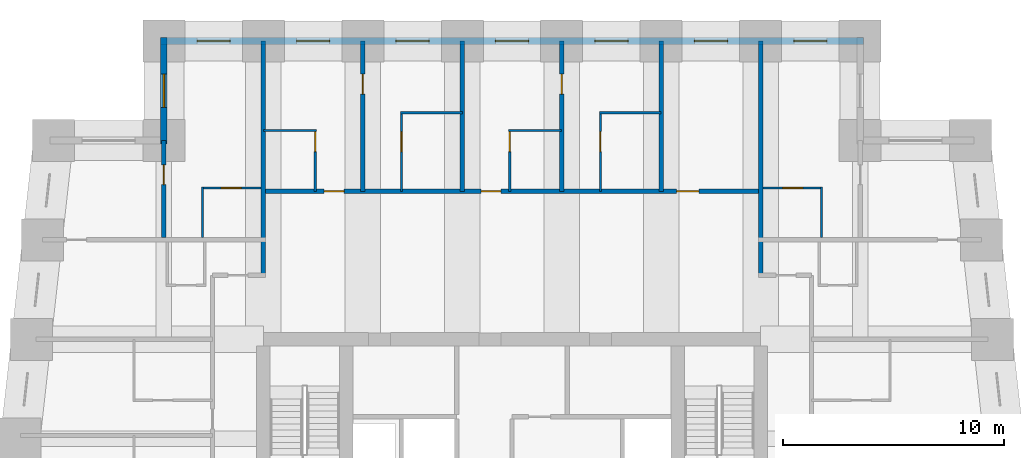
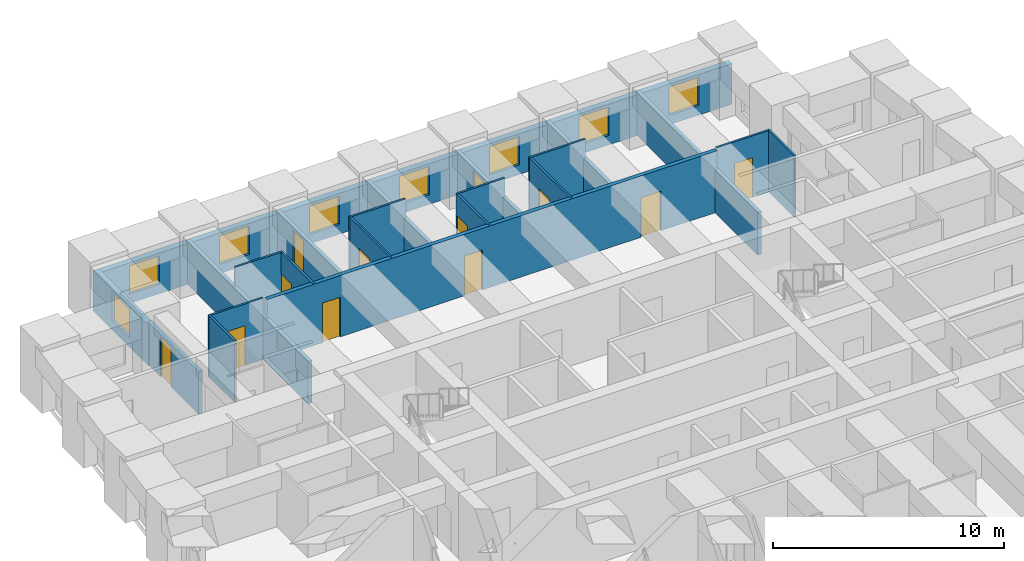
# One storey, part 6 of 8: 22 walls, 12 doors, 8 windows, 20 openings.
"""IFC4 building model written with IfcOpenShell, lengths in metres."""

from ifc_helpers import new_model, si_unit, direction, frame, frame_2d, origin, place, context, subcontext, project, spatial, rectangle, extrude, material, layer, layer_set, type_object, element, fill, save


model = new_model("IFC4")

# Units and contexts
model_context = context("Model", 3, precision=1e-05, world=origin(), true_north=direction((0.0, 1.0)))
body_context = subcontext(model_context, "Body", "Model", "MODEL_VIEW")
ifc_project = project(units=[si_unit("LENGTHUNIT", "METRE"), si_unit("AREAUNIT", "SQUARE_METRE"), si_unit("VOLUMEUNIT", "CUBIC_METRE"), si_unit("PLANEANGLEUNIT", "RADIAN"), si_unit("MASSUNIT", "GRAM", prefix="KILO")], contexts=[model_context])

# Site, building, storey
site_placement = place(None, origin())
site = spatial("IfcSite", under=ifc_project, at=site_placement, CompositionType="ELEMENT")
building_placement = place(site_placement, origin())
building = spatial("IfcBuilding", under=site, at=building_placement, Name="Kilele Tower Hotel", CompositionType="ELEMENT")
storey_placement = place(building_placement, frame((0.0, 0.0, 131.89990234375)))
storey = spatial("IfcBuildingStorey", under=building, at=storey_placement, Name="L34", CompositionType="ELEMENT", Elevation=131.89990234375)

# Wall
ifc_material_1 = material(Name="Moisture-resistant board")
ifc_layer_1 = layer(ifc_material_1, 0.10009765625)
ifc_layer_set_1 = layer_set([ifc_layer_1], Name="Moisture-resistant board")
wall_type_1 = type_object("IfcWallType", Name="Bathroom partition 100", PredefinedType="PLUMBINGWALL", material=ifc_layer_set_1)
wall_1_placement = place(storey_placement, frame((13.5, 36.449951171875, 0.0), z_axis=(0.0, 0.0, 1.0), x_axis=(1.0, 0.0, 0.0)))
element("IfcWall", 1, at=wall_1_placement, inside=storey, type_object=wall_type_1, Name="Bathroom partition 100 L34", PredefinedType="PLUMBINGWALL", context=body_context, shape_type="SweptSolid", body=[
    extrude(rectangle(XDim=2.39990234375, YDim=0.10009765625, at=frame_2d((1.199951171875, 0.0))), origin(), (0.0, 0.0, 1.0), 3.25),
])

# Wall, opening, door
wall_2_placement = place(storey_placement, frame((15.85009765625, 33.699951171875, 0.0), z_axis=(0.0, 0.0, 1.0), x_axis=(0.0, 1.0, 0.0)))
wall_2 = element("IfcWall", 2, at=wall_2_placement, inside=storey, type_object=wall_type_1, Name="Bathroom partition 100 L34", PredefinedType="PLUMBINGWALL", context=body_context, shape_type="SweptSolid", body=[
    extrude(rectangle(XDim=2.800048828125, YDim=0.10009765625, at=frame_2d((1.39990234375, 0.0))), origin(), (0.0, 0.0, 1.0), 3.25),
])
opening_1_placement = place(wall_2_placement, frame((2.699951171875, 0.0, 0.0), z_axis=(0.0, 0.0, 1.0), x_axis=(-1.0, 0.0, 0.0)))
opening_1 = element("IfcOpeningElement", 3, at=opening_1_placement, cuts=wall_2, Name="Opening D2A", PredefinedType="OPENING", context=body_context, shape_type="SweptSolid", body=[
    extrude(rectangle(XDim=0.89990234375, YDim=2.10009765625, at=frame_2d((0.449951171875, 1.050048828125))), frame((0.0, 0.06005859375, 0.0), z_axis=(0.0, -1.0, 0.0), x_axis=(1.0, 0.0, 0.0)), (0.0, 0.0, 1.0), 0.1201171875),
])
ifc_material_2 = material(Name="Timber door leaf in hardwood frame", Category="wood")
door_type_1 = type_object("IfcDoorType", Name="Bathroom door 900", OperationType="SINGLE_SWING_LEFT", PredefinedType="DOOR", material=ifc_material_2)
door_1_placement = place(opening_1_placement, origin())
door_1 = element("IfcDoor", 4, at=door_1_placement, inside=storey, type_object=door_type_1, Name="Bathroom door 3409B", OperationType="SINGLE_SWING_LEFT", OverallHeight=2.10009765625, OverallWidth=0.89990234375, PredefinedType="DOOR", context=body_context, shape_type="SweptSolid", body=[
    extrude(rectangle(XDim=0.89990234375, YDim=2.10009765625, at=frame_2d((0.449951171875, 1.050048828125))), frame((0.0, 0.02490234375, 0.0), z_axis=(0.0, -1.0, 0.0), x_axis=(1.0, 0.0, 0.0)), (0.0, 0.0, 1.0), 0.050048828125),
])
fill(opening_1, door_1)

# Wall
wall_3_placement = place(storey_placement, frame((19.699951171875, 37.25, 0.0), z_axis=(0.0, 0.0, 1.0), x_axis=(1.0, 0.0, 0.0)))
element("IfcWall", 5, at=wall_3_placement, inside=storey, type_object=wall_type_1, Name="Bathroom partition 100 L34", PredefinedType="PLUMBINGWALL", context=body_context, shape_type="SweptSolid", body=[
    extrude(rectangle(XDim=2.800048828125, YDim=0.10009765625, at=frame_2d((1.39990234375, 0.0))), origin(), (0.0, 0.0, 1.0), 3.25),
])

# Wall, opening, door
wall_4_placement = place(storey_placement, frame((19.75, 33.699951171875, 0.0), z_axis=(0.0, 0.0, 1.0), x_axis=(0.0, 1.0, 0.0)))
wall_4 = element("IfcWall", 6, at=wall_4_placement, inside=storey, type_object=wall_type_1, Name="Bathroom partition 100 L34", PredefinedType="PLUMBINGWALL", context=body_context, shape_type="SweptSolid", body=[
    extrude(rectangle(XDim=3.60009765625, YDim=0.10009765625, at=frame_2d((1.800048828125, 0.0))), origin(), (0.0, 0.0, 1.0), 3.25),
])
opening_2_placement = place(wall_4_placement, frame((1.800048828125, 0.0, 0.0)))
opening_2 = element("IfcOpeningElement", 7, at=opening_2_placement, cuts=wall_4, Name="Opening D2A", PredefinedType="OPENING", context=body_context, shape_type="SweptSolid", body=[
    extrude(rectangle(XDim=0.89990234375, YDim=2.10009765625, at=frame_2d((0.449951171875, 1.050048828125))), frame((0.0, 0.06005859375, 0.0), z_axis=(0.0, -1.0, 0.0), x_axis=(1.0, 0.0, 0.0)), (0.0, 0.0, 1.0), 0.1201171875),
])
door_2_placement = place(opening_2_placement, origin())
door_2 = element("IfcDoor", 8, at=door_2_placement, inside=storey, type_object=door_type_1, Name="Bathroom door 3410B", OperationType="SINGLE_SWING_RIGHT", OverallHeight=2.10009765625, OverallWidth=0.89990234375, PredefinedType="DOOR", context=body_context, shape_type="SweptSolid", body=[
    extrude(rectangle(XDim=0.89990234375, YDim=2.10009765625, at=frame_2d((0.449951171875, 1.050048828125))), frame((0.0, 0.02490234375, 0.0), z_axis=(0.0, -1.0, 0.0), x_axis=(1.0, 0.0, 0.0)), (0.0, 0.0, 1.0), 0.050048828125),
])
fill(opening_2, door_2)

# Wall
wall_5_placement = place(storey_placement, frame((24.60009765625, 36.449951171875, 0.0), z_axis=(0.0, 0.0, 1.0), x_axis=(1.0, 0.0, 0.0)))
element("IfcWall", 9, at=wall_5_placement, inside=storey, type_object=wall_type_1, Name="Bathroom partition 100 L34", PredefinedType="PLUMBINGWALL", context=body_context, shape_type="SweptSolid", body=[
    extrude(rectangle(XDim=2.39990234375, YDim=0.10009765625, at=frame_2d((1.199951171875, 0.0))), origin(), (0.0, 0.0, 1.0), 3.25),
])

# Wall, opening, door
wall_6_placement = place(storey_placement, frame((24.64990234375, 33.699951171875, 0.0), z_axis=(0.0, 0.0, 1.0), x_axis=(0.0, 1.0, 0.0)))
wall_6 = element("IfcWall", 10, at=wall_6_placement, inside=storey, type_object=wall_type_1, Name="Bathroom partition 100 L34", PredefinedType="PLUMBINGWALL", context=body_context, shape_type="SweptSolid", body=[
    extrude(rectangle(XDim=2.800048828125, YDim=0.10009765625, at=frame_2d((1.39990234375, 0.0))), origin(), (0.0, 0.0, 1.0), 3.25),
])
opening_3_placement = place(wall_6_placement, frame((1.800048828125, 0.0, 0.0)))
opening_3 = element("IfcOpeningElement", 11, at=opening_3_placement, cuts=wall_6, Name="Opening D2A", PredefinedType="OPENING", context=body_context, shape_type="SweptSolid", body=[
    extrude(rectangle(XDim=0.89990234375, YDim=2.10009765625, at=frame_2d((0.449951171875, 1.050048828125))), frame((0.0, 0.06005859375, 0.0), z_axis=(0.0, -1.0, 0.0), x_axis=(1.0, 0.0, 0.0)), (0.0, 0.0, 1.0), 0.1201171875),
])
door_3_placement = place(opening_3_placement, origin())
door_3 = element("IfcDoor", 12, at=door_3_placement, inside=storey, type_object=door_type_1, Name="Bathroom door 3411B", OperationType="SINGLE_SWING_RIGHT", OverallHeight=2.10009765625, OverallWidth=0.89990234375, PredefinedType="DOOR", context=body_context, shape_type="SweptSolid", body=[
    extrude(rectangle(XDim=0.89990234375, YDim=2.10009765625, at=frame_2d((0.449951171875, 1.050048828125))), frame((0.0, 0.02490234375, 0.0), z_axis=(0.0, -1.0, 0.0), x_axis=(1.0, 0.0, 0.0)), (0.0, 0.0, 1.0), 0.050048828125),
])
fill(opening_3, door_3)

# Wall
wall_7_placement = place(storey_placement, frame((28.699951171875, 37.25, 0.0), z_axis=(0.0, 0.0, 1.0), x_axis=(1.0, 0.0, 0.0)))
element("IfcWall", 13, at=wall_7_placement, inside=storey, type_object=wall_type_1, Name="Bathroom partition 100 L34", PredefinedType="PLUMBINGWALL", context=body_context, shape_type="SweptSolid", body=[
    extrude(rectangle(XDim=2.800048828125, YDim=0.10009765625, at=frame_2d((1.39990234375, 0.0))), origin(), (0.0, 0.0, 1.0), 3.25),
])

# Wall, opening, door
wall_8_placement = place(storey_placement, frame((28.75, 33.699951171875, 0.0), z_axis=(0.0, 0.0, 1.0), x_axis=(0.0, 1.0, 0.0)))
wall_8 = element("IfcWall", 14, at=wall_8_placement, inside=storey, type_object=wall_type_1, Name="Bathroom partition 100 L34", PredefinedType="PLUMBINGWALL", context=body_context, shape_type="SweptSolid", body=[
    extrude(rectangle(XDim=3.60009765625, YDim=0.10009765625, at=frame_2d((1.800048828125, 0.0))), origin(), (0.0, 0.0, 1.0), 3.25),
])
opening_4_placement = place(wall_8_placement, frame((1.800048828125, 0.0, 0.0)))
opening_4 = element("IfcOpeningElement", 15, at=opening_4_placement, cuts=wall_8, Name="Opening D2A", PredefinedType="OPENING", context=body_context, shape_type="SweptSolid", body=[
    extrude(rectangle(XDim=0.89990234375, YDim=2.10009765625, at=frame_2d((0.449951171875, 1.050048828125))), frame((0.0, 0.06005859375, 0.0), z_axis=(0.0, -1.0, 0.0), x_axis=(1.0, 0.0, 0.0)), (0.0, 0.0, 1.0), 0.1201171875),
])
door_4_placement = place(opening_4_placement, origin())
door_4 = element("IfcDoor", 16, at=door_4_placement, inside=storey, type_object=door_type_1, Name="Bathroom door 3412B", OperationType="SINGLE_SWING_RIGHT", OverallHeight=2.10009765625, OverallWidth=0.89990234375, PredefinedType="DOOR", context=body_context, shape_type="SweptSolid", body=[
    extrude(rectangle(XDim=0.89990234375, YDim=2.10009765625, at=frame_2d((0.449951171875, 1.050048828125))), frame((0.0, 0.02490234375, 0.0), z_axis=(0.0, -1.0, 0.0), x_axis=(1.0, 0.0, 0.0)), (0.0, 0.0, 1.0), 0.050048828125),
])
fill(opening_4, door_4)

# Wall
wall_9_placement = place(storey_placement, frame((38.75, 31.60009765625, 0.0), z_axis=(0.0, 0.0, 1.0), x_axis=(0.0, 1.0, 0.0)))
element("IfcWall", 17, at=wall_9_placement, inside=storey, type_object=wall_type_1, Name="Bathroom partition 100 L34", PredefinedType="PLUMBINGWALL", context=body_context, shape_type="SweptSolid", body=[
    extrude(rectangle(XDim=2.2998046875, YDim=0.10009765625, at=frame_2d((1.14990234375, 0.0))), origin(), (0.0, 0.0, 1.0), 3.25),
])

# Wall, opening, door
wall_10_placement = place(storey_placement, frame((36.10009765625, 33.85009765625, 0.0), z_axis=(0.0, 0.0, 1.0), x_axis=(1.0, 0.0, 0.0)))
wall_10 = element("IfcWall", 18, at=wall_10_placement, inside=storey, type_object=wall_type_1, Name="Bathroom partition 100 L34", PredefinedType="PLUMBINGWALL", context=body_context, shape_type="SweptSolid", body=[
    extrude(rectangle(XDim=2.699951171875, YDim=0.10009765625, at=frame_2d((1.35009765625, 0.0))), origin(), (0.0, 0.0, 1.0), 3.25),
])
opening_5_placement = place(wall_10_placement, frame((0.89990234375, 0.0, 0.0)))
opening_5 = element("IfcOpeningElement", 19, at=opening_5_placement, cuts=wall_10, Name="Opening D2A", PredefinedType="OPENING", context=body_context, shape_type="SweptSolid", body=[
    extrude(rectangle(XDim=0.89990234375, YDim=2.10009765625, at=frame_2d((0.449951171875, 1.050048828125))), frame((0.0, 0.06005859375, 0.0), z_axis=(0.0, -1.0, 0.0), x_axis=(1.0, 0.0, 0.0)), (0.0, 0.0, 1.0), 0.1201171875),
])
door_5_placement = place(opening_5_placement, origin())
door_5 = element("IfcDoor", 20, at=door_5_placement, inside=storey, type_object=door_type_1, Name="Bathroom door 3424B", OperationType="SINGLE_SWING_LEFT", OverallHeight=2.10009765625, OverallWidth=0.89990234375, PredefinedType="DOOR", context=body_context, shape_type="SweptSolid", body=[
    extrude(rectangle(XDim=0.89990234375, YDim=2.10009765625, at=frame_2d((0.449951171875, 1.050048828125))), frame((0.0, 0.02490234375, 0.0), z_axis=(0.0, -1.0, 0.0), x_axis=(1.0, 0.0, 0.0)), (0.0, 0.0, 1.0), 0.050048828125),
])
fill(opening_5, door_5)

# Wall
wall_11_placement = place(storey_placement, frame((10.75, 31.60009765625, 0.0), z_axis=(0.0, 0.0, 1.0), x_axis=(0.0, 1.0, 0.0)))
element("IfcWall", 21, at=wall_11_placement, inside=storey, type_object=wall_type_1, Name="Bathroom partition 100 L34", PredefinedType="PLUMBINGWALL", context=body_context, shape_type="SweptSolid", body=[
    extrude(rectangle(XDim=2.2998046875, YDim=0.10009765625, at=frame_2d((1.14990234375, 0.0))), origin(), (0.0, 0.0, 1.0), 3.25),
])

# Wall, opening, door
wall_12_placement = place(storey_placement, frame((13.39990234375, 33.85009765625, 0.0), z_axis=(0.0, 0.0, 1.0), x_axis=(-1.0, 0.0, 0.0)))
wall_12 = element("IfcWall", 22, at=wall_12_placement, inside=storey, type_object=wall_type_1, Name="Bathroom partition 100 L34", PredefinedType="PLUMBINGWALL", context=body_context, shape_type="SweptSolid", body=[
    extrude(rectangle(XDim=2.699951171875, YDim=0.10009765625, at=frame_2d((1.35009765625, 0.0))), origin(), (0.0, 0.0, 1.0), 3.25),
])
opening_6_placement = place(wall_12_placement, frame((1.7998046875, 0.0, 0.0), z_axis=(0.0, 0.0, 1.0), x_axis=(-1.0, 0.0, 0.0)))
opening_6 = element("IfcOpeningElement", 23, at=opening_6_placement, cuts=wall_12, Name="Opening D2A", PredefinedType="OPENING", context=body_context, shape_type="SweptSolid", body=[
    extrude(rectangle(XDim=0.89990234375, YDim=2.10009765625, at=frame_2d((0.449951171875, 1.050048828125))), frame((0.0, 0.06005859375, 0.0), z_axis=(0.0, -1.0, 0.0), x_axis=(1.0, 0.0, 0.0)), (0.0, 0.0, 1.0), 0.1201171875),
])
door_6_placement = place(opening_6_placement, origin())
door_6 = element("IfcDoor", 24, at=door_6_placement, inside=storey, type_object=door_type_1, Name="Bathroom door 3427B", OperationType="SINGLE_SWING_RIGHT", OverallHeight=2.10009765625, OverallWidth=0.89990234375, PredefinedType="DOOR", context=body_context, shape_type="SweptSolid", body=[
    extrude(rectangle(XDim=0.89990234375, YDim=2.10009765625, at=frame_2d((0.449951171875, 1.050048828125))), frame((0.0, 0.02490234375, 0.0), z_axis=(0.0, -1.0, 0.0), x_axis=(1.0, 0.0, 0.0)), (0.0, 0.0, 1.0), 0.050048828125),
])
fill(opening_6, door_6)

# Wall, openings, doors
ifc_material_3 = material(Name="Blockwork, plastered both sides", Category="masonry")
ifc_layer_2 = layer(ifc_material_3, 0.199951171875)
ifc_layer_set_2 = layer_set([ifc_layer_2], Name="Blockwork, plastered both sides")
wall_type_2 = type_object("IfcWallType", Name="Corridor wall 200", PredefinedType="PARTITIONING", material=ifc_layer_set_2)
wall_13_placement = place(storey_placement, frame((13.5, 33.699951171875, 0.0), z_axis=(0.0, 0.0, 1.0), x_axis=(1.0, 0.0, 0.0)))
wall_13 = element("IfcWall", 25, at=wall_13_placement, inside=storey, type_object=wall_type_2, Name="Corridor wall 200 L34", PredefinedType="PARTITIONING", context=body_context, shape_type="SweptSolid", body=[
    extrude(rectangle(XDim=22.5, YDim=0.199951171875, at=frame_2d((11.25, 0.0))), origin(), (0.0, 0.0, 1.0), 3.25),
])
opening_7_placement = place(wall_13_placement, frame((2.75, 0.0, 0.0)))
opening_7 = element("IfcOpeningElement", 26, at=opening_7_placement, cuts=wall_13, Name="Opening D1", PredefinedType="OPENING", context=body_context, shape_type="SweptSolid", body=[
    extrude(rectangle(XDim=0.89990234375, YDim=2.10009765625, at=frame_2d((0.449951171875, 1.050048828125))), frame((0.0, 0.10986328125, 0.0), z_axis=(0.0, -1.0, 0.0), x_axis=(1.0, 0.0, 0.0)), (0.0, 0.0, 1.0), 0.219970703125),
])
opening_8_placement = place(wall_13_placement, frame((9.85009765625, 0.0, 0.0)))
opening_8 = element("IfcOpeningElement", 27, at=opening_8_placement, cuts=wall_13, Name="Opening D1", PredefinedType="OPENING", context=body_context, shape_type="SweptSolid", body=[
    extrude(rectangle(XDim=0.89990234375, YDim=2.10009765625, at=frame_2d((0.449951171875, 1.050048828125))), frame((0.0, 0.10986328125, 0.0), z_axis=(0.0, -1.0, 0.0), x_axis=(1.0, 0.0, 0.0)), (0.0, 0.0, 1.0), 0.219970703125),
])
opening_9_placement = place(wall_13_placement, frame((18.699951171875, 0.0, 0.0)))
opening_9 = element("IfcOpeningElement", 28, at=opening_9_placement, cuts=wall_13, Name="Opening D8", PredefinedType="OPENING", context=body_context, shape_type="SweptSolid", body=[
    extrude(rectangle(XDim=1.0, YDim=2.10009765625, at=frame_2d((0.5, 1.050048828125))), frame((0.0, 0.10986328125, 0.0), z_axis=(0.0, -1.0, 0.0), x_axis=(1.0, 0.0, 0.0)), (0.0, 0.0, 1.0), 0.219970703125),
])
ifc_material_4 = material(Name="Timber door leaf in hardwood frame", Category="wood")
door_type_2 = type_object("IfcDoorType", Name="Door 1000", OperationType="SINGLE_SWING_LEFT", PredefinedType="DOOR", material=ifc_material_4)
door_7_placement = place(opening_9_placement, origin())
door_7 = element("IfcDoor", 29, at=door_7_placement, inside=storey, type_object=door_type_2, Name="Room entrance 3413", OperationType="SINGLE_SWING_LEFT", OverallHeight=2.10009765625, OverallWidth=1.0, PredefinedType="DOOR", context=body_context, shape_type="SweptSolid", body=[
    extrude(rectangle(XDim=1.0, YDim=2.10009765625, at=frame_2d((0.5, 1.050048828125))), frame((0.0, 0.02490234375, 0.0), z_axis=(0.0, -1.0, 0.0), x_axis=(1.0, 0.0, 0.0)), (0.0, 0.0, 1.0), 0.050048828125),
])
fill(opening_9, door_7)
ifc_material_5 = material(Name="Timber door leaf in hardwood frame", Category="wood")
door_type_3 = type_object("IfcDoorType", Name="Guest room entrance door 900", OperationType="SINGLE_SWING_LEFT", PredefinedType="DOOR", material=ifc_material_5)
door_8_placement = place(opening_7_placement, origin())
door_8 = element("IfcDoor", 30, at=door_8_placement, inside=storey, type_object=door_type_3, Name="Room entrance 3409", OperationType="SINGLE_SWING_LEFT", OverallHeight=2.10009765625, OverallWidth=0.89990234375, PredefinedType="DOOR", context=body_context, shape_type="SweptSolid", body=[
    extrude(rectangle(XDim=0.89990234375, YDim=2.10009765625, at=frame_2d((0.449951171875, 1.050048828125))), frame((0.0, 0.02490234375, 0.0), z_axis=(0.0, -1.0, 0.0), x_axis=(1.0, 0.0, 0.0)), (0.0, 0.0, 1.0), 0.050048828125),
])
fill(opening_7, door_8)
door_9_placement = place(opening_8_placement, origin())
door_9 = element("IfcDoor", 31, at=door_9_placement, inside=storey, type_object=door_type_3, Name="Room entrance 3411", OperationType="SINGLE_SWING_RIGHT", OverallHeight=2.10009765625, OverallWidth=0.89990234375, PredefinedType="DOOR", context=body_context, shape_type="SweptSolid", body=[
    extrude(rectangle(XDim=0.89990234375, YDim=2.10009765625, at=frame_2d((0.449951171875, 1.050048828125))), frame((0.0, 0.02490234375, 0.0), z_axis=(0.0, -1.0, 0.0), x_axis=(1.0, 0.0, 0.0)), (0.0, 0.0, 1.0), 0.050048828125),
])
fill(opening_8, door_9)

# Wall, opening, door
ifc_material_6 = material(Name="Blockwork, plastered both sides", Category="masonry")
ifc_layer_3 = layer(ifc_material_6, 0.199951171875)
ifc_layer_set_3 = layer_set([ifc_layer_3], Name="Blockwork, plastered both sides")
wall_type_3 = type_object("IfcWallType", Name="Partition wall 200", PredefinedType="PARTITIONING", material=ifc_layer_set_3)
wall_14_placement = place(storey_placement, frame((9.0, 31.60009765625, 0.0), z_axis=(0.0, 0.0, 1.0), x_axis=(0.0, 1.0, 0.0)))
wall_14 = element("IfcWall", 32, at=wall_14_placement, inside=storey, type_object=wall_type_3, Name="Partition wall 200 L34", PredefinedType="PARTITIONING", context=body_context, shape_type="SweptSolid", body=[
    extrude(rectangle(XDim=4.39990234375, YDim=0.199951171875, at=frame_2d((2.199951171875, 0.0))), origin(), (0.0, 0.0, 1.0), 2.25),
])
opening_10_placement = place(wall_14_placement, frame((2.39990234375, 0.0, 0.0)))
opening_10 = element("IfcOpeningElement", 33, at=opening_10_placement, cuts=wall_14, Name="Opening D3", PredefinedType="OPENING", context=body_context, shape_type="SweptSolid", body=[
    extrude(rectangle(XDim=0.89990234375, YDim=2.10009765625, at=frame_2d((0.449951171875, 1.050048828125))), frame((0.0, 0.10986328125, 0.0), z_axis=(0.0, -1.0, 0.0), x_axis=(1.0, 0.0, 0.0)), (0.0, 0.0, 1.0), 0.219970703125),
])
ifc_material_7 = material(Name="Timber door leaf in hardwood frame", Category="wood")
door_type_4 = type_object("IfcDoorType", Name="Suite internal door 900", OperationType="SINGLE_SWING_LEFT", PredefinedType="DOOR", material=ifc_material_7)
door_10_placement = place(opening_10_placement, origin())
door_10 = element("IfcDoor", 34, at=door_10_placement, inside=storey, type_object=door_type_4, Name="Suite door 3428", OperationType="SINGLE_SWING_RIGHT", OverallHeight=2.10009765625, OverallWidth=0.89990234375, PredefinedType="DOOR", context=body_context, shape_type="SweptSolid", body=[
    extrude(rectangle(XDim=0.89990234375, YDim=2.10009765625, at=frame_2d((0.449951171875, 1.050048828125))), frame((0.0, 0.02490234375, 0.0), z_axis=(0.0, -1.0, 0.0), x_axis=(1.0, 0.0, 0.0)), (0.0, 0.0, 1.0), 0.050048828125),
])
fill(opening_10, door_10)

ifc_material_8 = material(Name="Blockwork, plastered both sides", Category="masonry")
ifc_layer_4 = layer(ifc_material_8, 0.199951171875)
ifc_layer_set_4 = layer_set([ifc_layer_4], Name="Blockwork, plastered both sides")
wall_type_4 = type_object("IfcWallType", Name="Party wall 200", PredefinedType="PARTITIONING", material=ifc_layer_set_4)
wall_15_placement = place(storey_placement, frame((18.0, 33.699951171875, 0.0), z_axis=(0.0, 0.0, 1.0), x_axis=(0.0, 1.0, 0.0)))
wall_15 = element("IfcWall", 35, at=wall_15_placement, inside=storey, type_object=wall_type_4, Name="Party wall 200 L34", PredefinedType="PARTITIONING", context=body_context, shape_type="SweptSolid", body=[
    extrude(rectangle(XDim=6.800048828125, YDim=0.199951171875, at=frame_2d((3.39990234375, 0.0))), origin(), (0.0, 0.0, 1.0), 2.25),
])
opening_11_placement = place(wall_15_placement, frame((4.39990234375, 0.0, 0.0)))
opening_11 = element("IfcOpeningElement", 36, at=opening_11_placement, cuts=wall_15, Name="Opening D3", PredefinedType="OPENING", context=body_context, shape_type="SweptSolid", body=[
    extrude(rectangle(XDim=0.89990234375, YDim=2.10009765625, at=frame_2d((0.449951171875, 1.050048828125))), frame((0.0, 0.10986328125, 0.0), z_axis=(0.0, -1.0, 0.0), x_axis=(1.0, 0.0, 0.0)), (0.0, 0.0, 1.0), 0.219970703125),
])
door_11_placement = place(opening_11_placement, origin())
door_11 = element("IfcDoor", 37, at=door_11_placement, inside=storey, type_object=door_type_4, Name="Suite door 3410", OperationType="SINGLE_SWING_RIGHT", OverallHeight=2.10009765625, OverallWidth=0.89990234375, PredefinedType="DOOR", context=body_context, shape_type="SweptSolid", body=[
    extrude(rectangle(XDim=0.89990234375, YDim=2.10009765625, at=frame_2d((0.449951171875, 1.050048828125))), frame((0.0, 0.02490234375, 0.0), z_axis=(0.0, -1.0, 0.0), x_axis=(1.0, 0.0, 0.0)), (0.0, 0.0, 1.0), 0.050048828125),
])
fill(opening_11, door_11)

# Wall
wall_16_placement = place(storey_placement, frame((22.5, 33.699951171875, 0.0), z_axis=(0.0, 0.0, 1.0), x_axis=(0.0, 1.0, 0.0)))
element("IfcWall", 38, at=wall_16_placement, inside=storey, type_object=wall_type_4, Name="Party wall 200 L34", PredefinedType="PARTITIONING", context=body_context, shape_type="SweptSolid", body=[
    extrude(rectangle(XDim=6.800048828125, YDim=0.199951171875, at=frame_2d((3.39990234375, 0.0))), origin(), (0.0, 0.0, 1.0), 2.25),
])

# Wall, opening, door
wall_17_placement = place(storey_placement, frame((27.0, 33.699951171875, 0.0), z_axis=(0.0, 0.0, 1.0), x_axis=(0.0, 1.0, 0.0)))
wall_17 = element("IfcWall", 39, at=wall_17_placement, inside=storey, type_object=wall_type_4, Name="Party wall 200 L34", PredefinedType="PARTITIONING", context=body_context, shape_type="SweptSolid", body=[
    extrude(rectangle(XDim=6.800048828125, YDim=0.199951171875, at=frame_2d((3.39990234375, 0.0))), origin(), (0.0, 0.0, 1.0), 2.25),
])
opening_12_placement = place(wall_17_placement, frame((4.39990234375, 0.0, 0.0)))
opening_12 = element("IfcOpeningElement", 40, at=opening_12_placement, cuts=wall_17, Name="Opening D3", PredefinedType="OPENING", context=body_context, shape_type="SweptSolid", body=[
    extrude(rectangle(XDim=0.89990234375, YDim=2.10009765625, at=frame_2d((0.449951171875, 1.050048828125))), frame((0.0, 0.10986328125, 0.0), z_axis=(0.0, -1.0, 0.0), x_axis=(1.0, 0.0, 0.0)), (0.0, 0.0, 1.0), 0.219970703125),
])
door_12_placement = place(opening_12_placement, origin())
door_12 = element("IfcDoor", 41, at=door_12_placement, inside=storey, type_object=door_type_4, Name="Suite door 3412", OperationType="SINGLE_SWING_RIGHT", OverallHeight=2.10009765625, OverallWidth=0.89990234375, PredefinedType="DOOR", context=body_context, shape_type="SweptSolid", body=[
    extrude(rectangle(XDim=0.89990234375, YDim=2.10009765625, at=frame_2d((0.449951171875, 1.050048828125))), frame((0.0, 0.02490234375, 0.0), z_axis=(0.0, -1.0, 0.0), x_axis=(1.0, 0.0, 0.0)), (0.0, 0.0, 1.0), 0.050048828125),
])
fill(opening_12, door_12)

# Walls
wall_18_placement = place(storey_placement, frame((31.5, 33.699951171875, 0.0), z_axis=(0.0, 0.0, 1.0), x_axis=(0.0, 1.0, 0.0)))
element("IfcWall", 42, at=wall_18_placement, inside=storey, type_object=wall_type_4, Name="Party wall 200 L34", PredefinedType="PARTITIONING", context=body_context, shape_type="SweptSolid", body=[
    extrude(rectangle(XDim=6.800048828125, YDim=0.199951171875, at=frame_2d((3.39990234375, 0.0))), origin(), (0.0, 0.0, 1.0), 2.25),
])
for number, where, z_axis, x_axis, name in (
    (43, (36.0, 29.89990234375, 0.0), (0.0, 0.0, 1.0), (0.0, 1.0, 0.0), "Party wall 200 L34"),
    (44, (13.5, 29.89990234375, 0.0), (0.0, 0.0, 1.0), (0.0, 1.0, 0.0), "Party wall 200 L34"),
):
    element("IfcWall", number, at=place(storey_placement, frame(where, z_axis=z_axis, x_axis=x_axis)), inside=storey, type_object=wall_type_4, Name=name, PredefinedType="PARTITIONING", context=body_context, shape_type="SweptSolid", body=[
        extrude(rectangle(XDim=10.60009765625, YDim=0.199951171875, at=frame_2d((5.300048828125, 0.0))), origin(), (0.0, 0.0, 1.0), 2.25),
    ])

# Wall, openings, windows
ifc_material_9 = material(Name="Concrete C40/50 precast", Category="concrete")
ifc_layer_5 = layer(ifc_material_9, 0.260009765625, Name="Precast backing", Category="LoadBearing")
ifc_material_10 = material(Name="Reconstituted stone finish", Category="masonry")
ifc_layer_6 = layer(ifc_material_10, 0.0400390625, Name="Face mix", Category="Finish")
ifc_layer_set_5 = layer_set([ifc_layer_5, ifc_layer_6], Name="Precast concrete C40/50, reconstituted stone finish")
wall_type_5 = type_object("IfcWallType", Name="Precast stone facade wall 300", PredefinedType="STANDARD", material=ifc_layer_set_5)
wall_19_placement = place(storey_placement, frame((40.64990234375, 40.5, 0.0), z_axis=(0.0, 0.0, 1.0), x_axis=(-1.0, 0.0, 0.0)))
wall_19 = element("IfcWall", 45, at=wall_19_placement, inside=storey, type_object=wall_type_5, Name="Facade wall L34 edge 9", PredefinedType="STANDARD", context=body_context, shape_type="SweptSolid", body=[
    extrude(rectangle(XDim=31.7998046875, YDim=0.300048828125, at=frame_2d((15.89990234375, 0.0))), origin(), (0.0, 0.0, 1.0), 2.150146484375),
])
opening_13_placement = place(wall_19_placement, frame((1.64990234375, 0.0, 0.5)))
opening_13 = element("IfcOpeningElement", 46, at=opening_13_placement, cuts=wall_19, Name="Opening W2", PredefinedType="OPENING", context=body_context, shape_type="SweptSolid", body=[
    extrude(rectangle(XDim=1.5, YDim=1.5, at=frame_2d((0.75, 0.75))), frame((0.0, 0.159912109375, 0.0), z_axis=(0.0, -1.0, 0.0), x_axis=(1.0, 0.0, 0.0)), (0.0, 0.0, 1.0), 0.320068359375),
])
opening_14_placement = place(wall_19_placement, frame((6.14990234375, 0.0, 0.5)))
opening_14 = element("IfcOpeningElement", 47, at=opening_14_placement, cuts=wall_19, Name="Opening W2", PredefinedType="OPENING", context=body_context, shape_type="SweptSolid", body=[
    extrude(rectangle(XDim=1.5, YDim=1.5, at=frame_2d((0.75, 0.75))), frame((0.0, 0.159912109375, 0.0), z_axis=(0.0, -1.0, 0.0), x_axis=(1.0, 0.0, 0.0)), (0.0, 0.0, 1.0), 0.320068359375),
])
opening_15_placement = place(wall_19_placement, frame((10.64990234375, 0.0, 0.5)))
opening_15 = element("IfcOpeningElement", 48, at=opening_15_placement, cuts=wall_19, Name="Opening W2", PredefinedType="OPENING", context=body_context, shape_type="SweptSolid", body=[
    extrude(rectangle(XDim=1.5, YDim=1.5, at=frame_2d((0.75, 0.75))), frame((0.0, 0.159912109375, 0.0), z_axis=(0.0, -1.0, 0.0), x_axis=(1.0, 0.0, 0.0)), (0.0, 0.0, 1.0), 0.320068359375),
])
opening_16_placement = place(wall_19_placement, frame((15.14990234375, 0.0, 0.5)))
opening_16 = element("IfcOpeningElement", 49, at=opening_16_placement, cuts=wall_19, Name="Opening W2", PredefinedType="OPENING", context=body_context, shape_type="SweptSolid", body=[
    extrude(rectangle(XDim=1.5, YDim=1.5, at=frame_2d((0.75, 0.75))), frame((0.0, 0.159912109375, 0.0), z_axis=(0.0, -1.0, 0.0), x_axis=(1.0, 0.0, 0.0)), (0.0, 0.0, 1.0), 0.320068359375),
])
opening_17_placement = place(wall_19_placement, frame((19.64990234375, 0.0, 0.5)))
opening_17 = element("IfcOpeningElement", 50, at=opening_17_placement, cuts=wall_19, Name="Opening W2", PredefinedType="OPENING", context=body_context, shape_type="SweptSolid", body=[
    extrude(rectangle(XDim=1.5, YDim=1.5, at=frame_2d((0.75, 0.75))), frame((0.0, 0.159912109375, 0.0), z_axis=(0.0, -1.0, 0.0), x_axis=(1.0, 0.0, 0.0)), (0.0, 0.0, 1.0), 0.320068359375),
])
opening_18_placement = place(wall_19_placement, frame((24.14990234375, 0.0, 0.5)))
opening_18 = element("IfcOpeningElement", 51, at=opening_18_placement, cuts=wall_19, Name="Opening W2", PredefinedType="OPENING", context=body_context, shape_type="SweptSolid", body=[
    extrude(rectangle(XDim=1.5, YDim=1.5, at=frame_2d((0.75, 0.75))), frame((0.0, 0.159912109375, 0.0), z_axis=(0.0, -1.0, 0.0), x_axis=(1.0, 0.0, 0.0)), (0.0, 0.0, 1.0), 0.320068359375),
])
opening_19_placement = place(wall_19_placement, frame((28.64990234375, 0.0, 0.5)))
opening_19 = element("IfcOpeningElement", 52, at=opening_19_placement, cuts=wall_19, Name="Opening W2", PredefinedType="OPENING", context=body_context, shape_type="SweptSolid", body=[
    extrude(rectangle(XDim=1.5, YDim=1.5, at=frame_2d((0.75, 0.75))), frame((0.0, 0.159912109375, 0.0), z_axis=(0.0, -1.0, 0.0), x_axis=(1.0, 0.0, 0.0)), (0.0, 0.0, 1.0), 0.320068359375),
])
ifc_material_11 = material(Name="Aluminium frame, clear double glazing", Category="aluminium")
window_type = type_object("IfcWindowType", Name="Window W2 1500 x 1500", PartitioningType="SINGLE_PANEL", PredefinedType="WINDOW", material=ifc_material_11)
window_1_placement = place(opening_13_placement, origin())
window_1 = element("IfcWindow", 53, at=window_1_placement, inside=storey, type_object=window_type, Name="Window L34", OverallHeight=1.5, OverallWidth=1.5, PartitioningType="SINGLE_PANEL", PredefinedType="WINDOW", context=body_context, shape_type="SweptSolid", body=[
    extrude(rectangle(XDim=1.5, YDim=1.5, at=frame_2d((0.75, 0.75))), frame((0.0, 0.030029296875, 0.0), z_axis=(0.0, -1.0, 0.0), x_axis=(1.0, 0.0, 0.0)), (0.0, 0.0, 1.0), 0.06005859375),
])
fill(opening_13, window_1)
window_2_placement = place(opening_14_placement, origin())
window_2 = element("IfcWindow", 54, at=window_2_placement, inside=storey, type_object=window_type, Name="Window L34", OverallHeight=1.5, OverallWidth=1.5, PartitioningType="SINGLE_PANEL", PredefinedType="WINDOW", context=body_context, shape_type="SweptSolid", body=[
    extrude(rectangle(XDim=1.5, YDim=1.5, at=frame_2d((0.75, 0.75))), frame((0.0, 0.030029296875, 0.0), z_axis=(0.0, -1.0, 0.0), x_axis=(1.0, 0.0, 0.0)), (0.0, 0.0, 1.0), 0.06005859375),
])
fill(opening_14, window_2)
window_3_placement = place(opening_15_placement, origin())
window_3 = element("IfcWindow", 55, at=window_3_placement, inside=storey, type_object=window_type, Name="Window L34", OverallHeight=1.5, OverallWidth=1.5, PartitioningType="SINGLE_PANEL", PredefinedType="WINDOW", context=body_context, shape_type="SweptSolid", body=[
    extrude(rectangle(XDim=1.5, YDim=1.5, at=frame_2d((0.75, 0.75))), frame((0.0, 0.030029296875, 0.0), z_axis=(0.0, -1.0, 0.0), x_axis=(1.0, 0.0, 0.0)), (0.0, 0.0, 1.0), 0.06005859375),
])
fill(opening_15, window_3)
window_4_placement = place(opening_16_placement, origin())
window_4 = element("IfcWindow", 56, at=window_4_placement, inside=storey, type_object=window_type, Name="Window L34", OverallHeight=1.5, OverallWidth=1.5, PartitioningType="SINGLE_PANEL", PredefinedType="WINDOW", context=body_context, shape_type="SweptSolid", body=[
    extrude(rectangle(XDim=1.5, YDim=1.5, at=frame_2d((0.75, 0.75))), frame((0.0, 0.030029296875, 0.0), z_axis=(0.0, -1.0, 0.0), x_axis=(1.0, 0.0, 0.0)), (0.0, 0.0, 1.0), 0.06005859375),
])
fill(opening_16, window_4)
window_5_placement = place(opening_17_placement, origin())
window_5 = element("IfcWindow", 57, at=window_5_placement, inside=storey, type_object=window_type, Name="Window L34", OverallHeight=1.5, OverallWidth=1.5, PartitioningType="SINGLE_PANEL", PredefinedType="WINDOW", context=body_context, shape_type="SweptSolid", body=[
    extrude(rectangle(XDim=1.5, YDim=1.5, at=frame_2d((0.75, 0.75))), frame((0.0, 0.030029296875, 0.0), z_axis=(0.0, -1.0, 0.0), x_axis=(1.0, 0.0, 0.0)), (0.0, 0.0, 1.0), 0.06005859375),
])
fill(opening_17, window_5)
window_6_placement = place(opening_18_placement, origin())
window_6 = element("IfcWindow", 58, at=window_6_placement, inside=storey, type_object=window_type, Name="Window L34", OverallHeight=1.5, OverallWidth=1.5, PartitioningType="SINGLE_PANEL", PredefinedType="WINDOW", context=body_context, shape_type="SweptSolid", body=[
    extrude(rectangle(XDim=1.5, YDim=1.5, at=frame_2d((0.75, 0.75))), frame((0.0, 0.030029296875, 0.0), z_axis=(0.0, -1.0, 0.0), x_axis=(1.0, 0.0, 0.0)), (0.0, 0.0, 1.0), 0.06005859375),
])
fill(opening_18, window_6)
window_7_placement = place(opening_19_placement, origin())
window_7 = element("IfcWindow", 59, at=window_7_placement, inside=storey, type_object=window_type, Name="Window L34", OverallHeight=1.5, OverallWidth=1.5, PartitioningType="SINGLE_PANEL", PredefinedType="WINDOW", context=body_context, shape_type="SweptSolid", body=[
    extrude(rectangle(XDim=1.5, YDim=1.5, at=frame_2d((0.75, 0.75))), frame((0.0, 0.030029296875, 0.0), z_axis=(0.0, -1.0, 0.0), x_axis=(1.0, 0.0, 0.0)), (0.0, 0.0, 1.0), 0.06005859375),
])
fill(opening_19, window_7)

# Wall, opening, window
wall_20_placement = place(storey_placement, frame((9.0, 40.64990234375, 0.0), z_axis=(0.0, 0.0, 1.0), x_axis=(0.0, -1.0, 0.0)))
wall_20 = element("IfcWall", 60, at=wall_20_placement, inside=storey, type_object=wall_type_5, Name="Facade wall L34 edge 10", PredefinedType="STANDARD", context=body_context, shape_type="SweptSolid", body=[
    extrude(rectangle(XDim=4.7998046875, YDim=0.300048828125, at=frame_2d((2.39990234375, 0.0))), origin(), (0.0, 0.0, 1.0), 2.150146484375),
])
opening_20_placement = place(wall_20_placement, frame((1.64990234375, 0.0, 0.5)))
opening_20 = element("IfcOpeningElement", 61, at=opening_20_placement, cuts=wall_20, Name="Opening W2", PredefinedType="OPENING", context=body_context, shape_type="SweptSolid", body=[
    extrude(rectangle(XDim=1.5, YDim=1.5, at=frame_2d((0.75, 0.75))), frame((0.0, 0.159912109375, 0.0), z_axis=(0.0, -1.0, 0.0), x_axis=(1.0, 0.0, 0.0)), (0.0, 0.0, 1.0), 0.320068359375),
])
window_8_placement = place(opening_20_placement, origin())
window_8 = element("IfcWindow", 62, at=window_8_placement, inside=storey, type_object=window_type, Name="Window L34", OverallHeight=1.5, OverallWidth=1.5, PartitioningType="SINGLE_PANEL", PredefinedType="WINDOW", context=body_context, shape_type="SweptSolid", body=[
    extrude(rectangle(XDim=1.5, YDim=1.5, at=frame_2d((0.75, 0.75))), frame((0.0, 0.030029296875, 0.0), z_axis=(0.0, -1.0, 0.0), x_axis=(1.0, 0.0, 0.0)), (0.0, 0.0, 1.0), 0.06005859375),
])
fill(opening_20, window_8)

save(model, "model.ifc")
